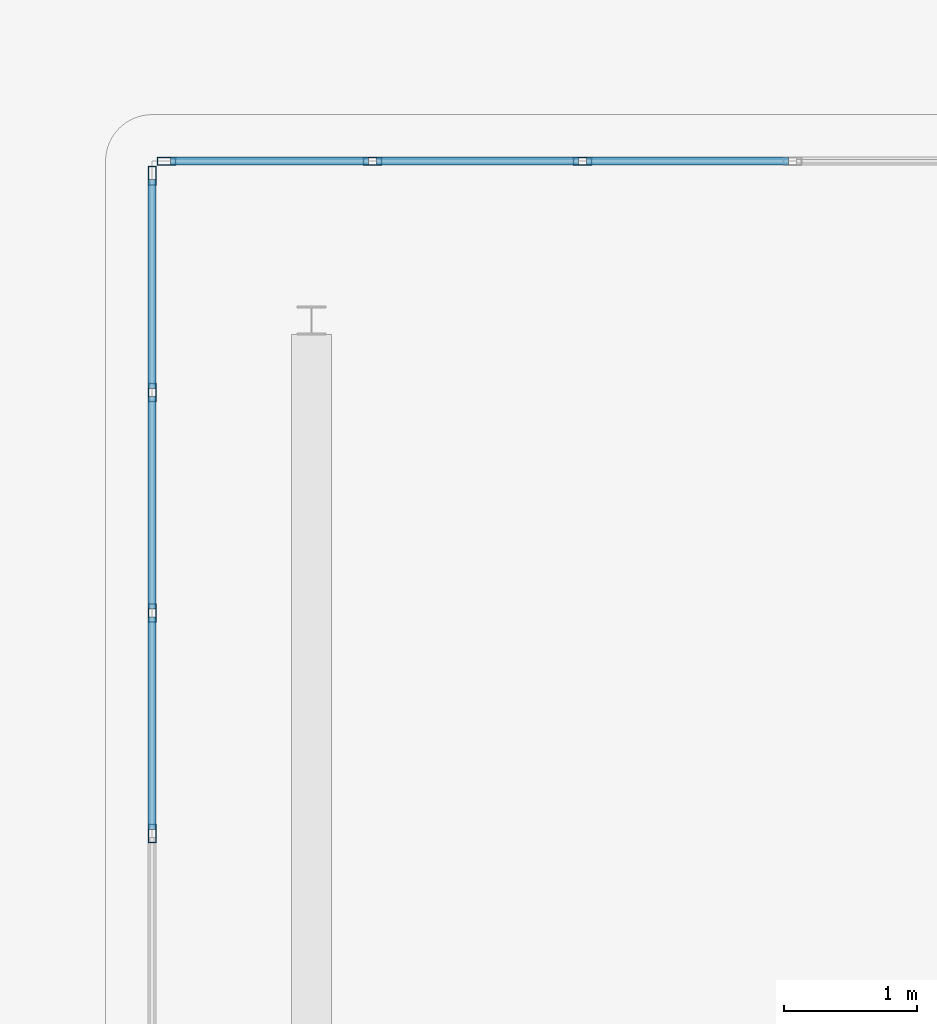
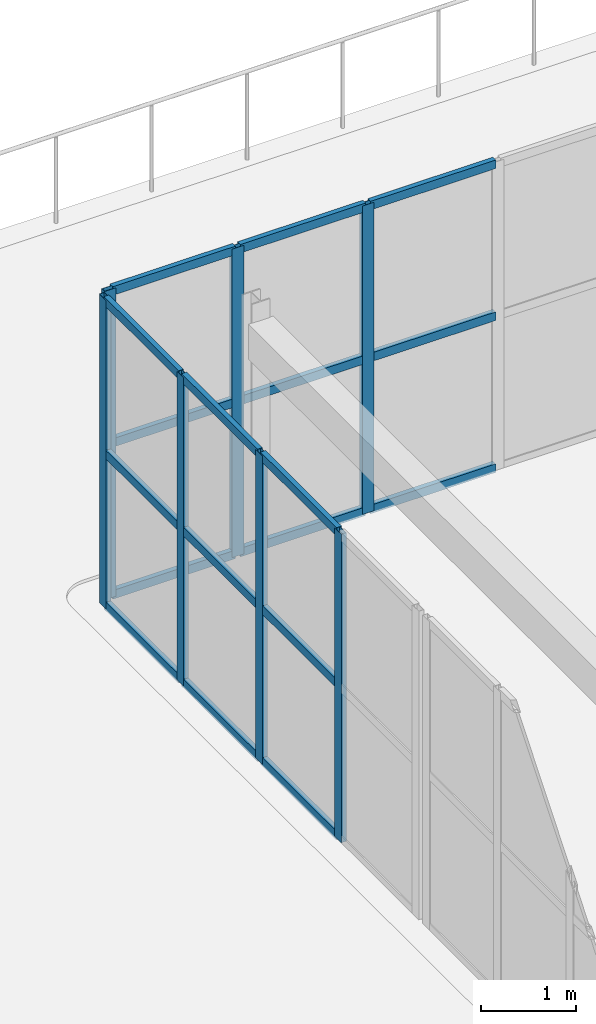
# One storey, part 37 of 90: 25 members, 2 elements without a shape of their own.
"""IFC4 building model written with IfcOpenShell, lengths in metres."""

from ifc_helpers import new_model, si_unit, direction, frame, origin, origin_2d, place, context, subcontext, project, spatial, hollow_rectangle, extrude, material, layer, layer_set, material_profile, profile_set, type_object, element, aggregate, save


model = new_model("IFC4")

# Units and contexts
model_context = context("Model", 3, precision=1e-05, world=origin(), true_north=direction((0.0, 1.0)))
body_context = subcontext(model_context, "Body", "Model", "MODEL_VIEW")
ifc_project = project(units=[si_unit("LENGTHUNIT", "METRE"), si_unit("AREAUNIT", "SQUARE_METRE"), si_unit("VOLUMEUNIT", "CUBIC_METRE"), si_unit("PLANEANGLEUNIT", "RADIAN"), si_unit("MASSUNIT", "GRAM", prefix="KILO")], contexts=[model_context])

# Site, building, storey
site_placement = place(None, origin())
site = spatial("IfcSite", under=ifc_project, at=site_placement, CompositionType="ELEMENT")
building_placement = place(site_placement, origin())
building = spatial("IfcBuilding", under=site, at=building_placement, Name="Trelvath General Hospital", CompositionType="ELEMENT")
storey_placement = place(building_placement, frame((0.0, 0.0, 20.39990234375)))
storey = spatial("IfcBuildingStorey", under=building, at=storey_placement, Name="L05", CompositionType="ELEMENT", Elevation=20.39990234375)

# Curtain wall, members
ifc_material_1 = material(Name="Anodised aluminium and low-E glass", Category="aluminium")
ifc_layer_1 = layer(ifc_material_1, 0.14990234375)
ifc_layer_set_1 = layer_set([ifc_layer_1], Name="Anodised aluminium and low-E glass")
curtain_wall_type_1 = type_object("IfcCurtainWallType", Name="CW CrystalCube 790 396 15", PredefinedType="USERDEFINED", material=ifc_layer_set_1)
curtain_wall_1_placement = place(storey_placement, origin())
curtain_wall_1 = element("IfcCurtainWall", 1, at=curtain_wall_1_placement, inside=storey, type_object=curtain_wall_type_1, Name="Crystal Cube Curtain Wall CUBE-W-T2 N1 L05", ObjectType="Unitised Glazed Curtain Wall", PredefinedType="USERDEFINED")
ifc_material_2 = material(Name="Anodised aluminium", Category="aluminium")
ifc_material_profile_1 = material_profile(ifc_material_2, hollow_rectangle(XDim=0.06005859375, YDim=0.139892578125, WallThickness=0.00390625, at=origin_2d()), Name="RHS60x140x4")
ifc_profile_set_1 = profile_set([ifc_material_profile_1], Name="Anodised aluminium")
member_type_1 = type_object("IfcMemberType", Name="CurtainMullion 60x140", PredefinedType="MULLION", material=ifc_profile_set_1)
member_1_placement = place(storey_placement, frame((59.7099609375, 74.0, 0.0), z_axis=(0.0, 0.0, 1.0), x_axis=(0.0, 1.0, 0.0)))
member_1 = element("IfcMember", 2, at=member_1_placement, type_object=member_type_1, Name="CW-308 mullion 1", PredefinedType="MULLION", context=body_context, shape_type="SweptSolid", body=[
    extrude(hollow_rectangle(XDim=0.06005859375, YDim=0.139892578125, WallThickness=0.00390625, at=origin_2d()), origin(), (0.0, 0.0, 1.0), 3.960205078125),
])
member_2_placement = place(storey_placement, frame((61.260009765625, 74.0, 0.0), z_axis=(0.0, 0.0, 1.0), x_axis=(0.0, 1.0, 0.0)))
member_2 = element("IfcMember", 3, at=member_2_placement, type_object=member_type_1, Name="CW-308 mullion 2", PredefinedType="MULLION", context=body_context, shape_type="SweptSolid", body=[
    extrude(hollow_rectangle(XDim=0.06005859375, YDim=0.139892578125, WallThickness=0.00390625, at=origin_2d()), origin(), (0.0, 0.0, 1.0), 3.960205078125),
])
member_3_placement = place(storey_placement, frame((62.840087890625, 74.0, 0.0), z_axis=(0.0, 0.0, 1.0), x_axis=(0.0, 1.0, 0.0)))
member_3 = element("IfcMember", 4, at=member_3_placement, type_object=member_type_1, Name="CW-308 mullion 3", PredefinedType="MULLION", context=body_context, shape_type="SweptSolid", body=[
    extrude(hollow_rectangle(XDim=0.06005859375, YDim=0.139892578125, WallThickness=0.00390625, at=origin_2d()), origin(), (0.0, 0.0, 1.0), 3.960205078125),
])

ifc_material_3 = material(Name="Anodised aluminium and low-E glass", Category="aluminium")
ifc_layer_2 = layer(ifc_material_3, 0.14990234375)
ifc_layer_set_2 = layer_set([ifc_layer_2], Name="Anodised aluminium and low-E glass")
curtain_wall_type_2 = type_object("IfcCurtainWallType", Name="CW CrystalCube 664 396 15", PredefinedType="USERDEFINED", material=ifc_layer_set_2)
curtain_wall_2_placement = place(storey_placement, origin())
curtain_wall_2 = element("IfcCurtainWall", 5, at=curtain_wall_2_placement, inside=storey, type_object=curtain_wall_type_2, Name="Crystal Cube Curtain Wall CUBE-W-T2 W5 L05", ObjectType="Unitised Glazed Curtain Wall", PredefinedType="USERDEFINED")
member_4_placement = place(storey_placement, frame((59.60009765625, 68.93994140625, 0.0), z_axis=(0.0, 0.0, 1.0), x_axis=(-1.0, 0.0, 0.0)))
member_4 = element("IfcMember", 6, at=member_4_placement, type_object=member_type_1, Name="CW-313 mullion 2", PredefinedType="MULLION", context=body_context, shape_type="SweptSolid", body=[
    extrude(hollow_rectangle(XDim=0.06005859375, YDim=0.139892578125, WallThickness=0.00390625, at=origin_2d()), origin(), (0.0, 0.0, 1.0), 3.960205078125),
])
member_5_placement = place(storey_placement, frame((59.60009765625, 70.60009765625, 0.0), z_axis=(0.0, 0.0, 1.0), x_axis=(-1.0, 0.0, 0.0)))
member_5 = element("IfcMember", 7, at=member_5_placement, type_object=member_type_1, Name="CW-313 mullion 3", PredefinedType="MULLION", context=body_context, shape_type="SweptSolid", body=[
    extrude(hollow_rectangle(XDim=0.06005859375, YDim=0.139892578125, WallThickness=0.00390625, at=origin_2d()), origin(), (0.0, 0.0, 1.0), 3.960205078125),
])
member_6_placement = place(storey_placement, frame((59.60009765625, 72.260009765625, 0.0), z_axis=(0.0, 0.0, 1.0), x_axis=(-1.0, 0.0, 0.0)))
member_6 = element("IfcMember", 8, at=member_6_placement, type_object=member_type_1, Name="CW-313 mullion 4", PredefinedType="MULLION", context=body_context, shape_type="SweptSolid", body=[
    extrude(hollow_rectangle(XDim=0.06005859375, YDim=0.139892578125, WallThickness=0.00390625, at=origin_2d()), origin(), (0.0, 0.0, 1.0), 3.960205078125),
])
member_7_placement = place(storey_placement, frame((59.60009765625, 73.889892578125, 0.0), z_axis=(0.0, 0.0, 1.0), x_axis=(-1.0, 0.0, 0.0)))
member_7 = element("IfcMember", 9, at=member_7_placement, type_object=member_type_1, Name="CW-313 mullion 5", PredefinedType="MULLION", context=body_context, shape_type="SweptSolid", body=[
    extrude(hollow_rectangle(XDim=0.06005859375, YDim=0.139892578125, WallThickness=0.00390625, at=origin_2d()), origin(), (0.0, 0.0, 1.0), 3.960205078125),
])

# Member
ifc_material_4 = material(Name="Anodised aluminium", Category="aluminium")
ifc_material_profile_2 = material_profile(ifc_material_4, hollow_rectangle(XDim=0.06005859375, YDim=0.110107421875, WallThickness=0.00390625, at=origin_2d()), Name="RHS60x110x4")
ifc_profile_set_2 = profile_set([ifc_material_profile_2], Name="Anodised aluminium")
member_type_2 = type_object("IfcMemberType", Name="CurtainTransom 60x110", PredefinedType="USERDEFINED", material=ifc_profile_set_2)
member_8_placement = place(storey_placement, frame((59.739990234375, 74.0, 0.030029296875), z_axis=(1.0, 0.0, 0.0), x_axis=(0.0, 1.0, 0.0)))
member_8 = element("IfcMember", 10, at=member_8_placement, type_object=member_type_2, Name="CW-308 transom 1.1", ObjectType="TRANSOM", PredefinedType="USERDEFINED", context=body_context, shape_type="SweptSolid", body=[
    extrude(hollow_rectangle(XDim=0.06005859375, YDim=0.110107421875, WallThickness=0.00390625, at=origin_2d()), origin(), (0.0, 0.0, 1.0), 1.489990234375),
])

member_9_placement = place(storey_placement, frame((59.739990234375, 74.0, 1.97998046875), z_axis=(1.0, 0.0, 0.0), x_axis=(0.0, 1.0, 0.0)))
member_9 = element("IfcMember", 11, at=member_9_placement, type_object=member_type_2, Name="CW-308 transom 1.2", ObjectType="TRANSOM", PredefinedType="USERDEFINED", context=body_context, shape_type="SweptSolid", body=[
    extrude(hollow_rectangle(XDim=0.06005859375, YDim=0.110107421875, WallThickness=0.00390625, at=origin_2d()), origin(), (0.0, 0.0, 1.0), 1.489990234375),
])

member_10_placement = place(storey_placement, frame((59.739990234375, 74.0, 3.93017578125), z_axis=(1.0, 0.0, 0.0), x_axis=(0.0, 1.0, 0.0)))
member_10 = element("IfcMember", 12, at=member_10_placement, type_object=member_type_2, Name="CW-308 transom 1.3", ObjectType="TRANSOM", PredefinedType="USERDEFINED", context=body_context, shape_type="SweptSolid", body=[
    extrude(hollow_rectangle(XDim=0.06005859375, YDim=0.110107421875, WallThickness=0.00390625, at=origin_2d()), origin(), (0.0, 0.0, 1.0), 1.489990234375),
])

member_11_placement = place(storey_placement, frame((61.2900390625, 74.0, 0.030029296875), z_axis=(1.0, 0.0, 0.0), x_axis=(0.0, 1.0, 0.0)))
member_11 = element("IfcMember", 13, at=member_11_placement, type_object=member_type_2, Name="CW-308 transom 2.1", ObjectType="TRANSOM", PredefinedType="USERDEFINED", context=body_context, shape_type="SweptSolid", body=[
    extrude(hollow_rectangle(XDim=0.06005859375, YDim=0.110107421875, WallThickness=0.00390625, at=origin_2d()), origin(), (0.0, 0.0, 1.0), 1.52001953125),
])

member_12_placement = place(storey_placement, frame((61.2900390625, 74.0, 1.97998046875), z_axis=(1.0, 0.0, 0.0), x_axis=(0.0, 1.0, 0.0)))
member_12 = element("IfcMember", 14, at=member_12_placement, type_object=member_type_2, Name="CW-308 transom 2.2", ObjectType="TRANSOM", PredefinedType="USERDEFINED", context=body_context, shape_type="SweptSolid", body=[
    extrude(hollow_rectangle(XDim=0.06005859375, YDim=0.110107421875, WallThickness=0.00390625, at=origin_2d()), origin(), (0.0, 0.0, 1.0), 1.52001953125),
])

member_13_placement = place(storey_placement, frame((61.2900390625, 74.0, 3.93017578125), z_axis=(1.0, 0.0, 0.0), x_axis=(0.0, 1.0, 0.0)))
member_13 = element("IfcMember", 15, at=member_13_placement, type_object=member_type_2, Name="CW-308 transom 2.3", ObjectType="TRANSOM", PredefinedType="USERDEFINED", context=body_context, shape_type="SweptSolid", body=[
    extrude(hollow_rectangle(XDim=0.06005859375, YDim=0.110107421875, WallThickness=0.00390625, at=origin_2d()), origin(), (0.0, 0.0, 1.0), 1.52001953125),
])

member_14_placement = place(storey_placement, frame((62.8701171875, 74.0, 0.030029296875), z_axis=(1.0, 0.0, 0.0), x_axis=(0.0, 1.0, 0.0)))
member_14 = element("IfcMember", 16, at=member_14_placement, type_object=member_type_2, Name="CW-308 transom 3.1", ObjectType="TRANSOM", PredefinedType="USERDEFINED", context=body_context, shape_type="SweptSolid", body=[
    extrude(hollow_rectangle(XDim=0.06005859375, YDim=0.110107421875, WallThickness=0.00390625, at=origin_2d()), origin(), (0.0, 0.0, 1.0), 1.519775390625),
])

member_15_placement = place(storey_placement, frame((62.8701171875, 74.0, 1.97998046875), z_axis=(1.0, 0.0, 0.0), x_axis=(0.0, 1.0, 0.0)))
member_15 = element("IfcMember", 17, at=member_15_placement, type_object=member_type_2, Name="CW-308 transom 3.2", ObjectType="TRANSOM", PredefinedType="USERDEFINED", context=body_context, shape_type="SweptSolid", body=[
    extrude(hollow_rectangle(XDim=0.06005859375, YDim=0.110107421875, WallThickness=0.00390625, at=origin_2d()), origin(), (0.0, 0.0, 1.0), 1.519775390625),
])

member_16_placement = place(storey_placement, frame((62.8701171875, 74.0, 3.93017578125), z_axis=(1.0, 0.0, 0.0), x_axis=(0.0, 1.0, 0.0)))
member_16 = element("IfcMember", 18, at=member_16_placement, type_object=member_type_2, Name="CW-308 transom 3.3", ObjectType="TRANSOM", PredefinedType="USERDEFINED", context=body_context, shape_type="SweptSolid", body=[
    extrude(hollow_rectangle(XDim=0.06005859375, YDim=0.110107421875, WallThickness=0.00390625, at=origin_2d()), origin(), (0.0, 0.0, 1.0), 1.519775390625),
])

aggregate(curtain_wall_1, [member_1, member_2, member_3, member_8, member_9, member_10, member_11, member_12, member_13, member_14, member_15, member_16])

member_17_placement = place(storey_placement, frame((59.60009765625, 68.969970703125, 0.030029296875), z_axis=(0.0, 1.0, 0.0), x_axis=(-1.0, 0.0, 0.0)))
member_17 = element("IfcMember", 19, at=member_17_placement, type_object=member_type_2, Name="CW-313 transom 2.1", ObjectType="TRANSOM", PredefinedType="USERDEFINED", context=body_context, shape_type="SweptSolid", body=[
    extrude(hollow_rectangle(XDim=0.06005859375, YDim=0.110107421875, WallThickness=0.00390625, at=origin_2d()), origin(), (0.0, 0.0, 1.0), 1.60009765625),
])

member_18_placement = place(storey_placement, frame((59.60009765625, 68.969970703125, 1.97998046875), z_axis=(0.0, 1.0, 0.0), x_axis=(-1.0, 0.0, 0.0)))
member_18 = element("IfcMember", 20, at=member_18_placement, type_object=member_type_2, Name="CW-313 transom 2.2", ObjectType="TRANSOM", PredefinedType="USERDEFINED", context=body_context, shape_type="SweptSolid", body=[
    extrude(hollow_rectangle(XDim=0.06005859375, YDim=0.110107421875, WallThickness=0.00390625, at=origin_2d()), origin(), (0.0, 0.0, 1.0), 1.60009765625),
])

member_19_placement = place(storey_placement, frame((59.60009765625, 68.969970703125, 3.93017578125), z_axis=(0.0, 1.0, 0.0), x_axis=(-1.0, 0.0, 0.0)))
member_19 = element("IfcMember", 21, at=member_19_placement, type_object=member_type_2, Name="CW-313 transom 2.3", ObjectType="TRANSOM", PredefinedType="USERDEFINED", context=body_context, shape_type="SweptSolid", body=[
    extrude(hollow_rectangle(XDim=0.06005859375, YDim=0.110107421875, WallThickness=0.00390625, at=origin_2d()), origin(), (0.0, 0.0, 1.0), 1.60009765625),
])

member_20_placement = place(storey_placement, frame((59.60009765625, 70.6298828125, 0.030029296875), z_axis=(0.0, 1.0, 0.0), x_axis=(-1.0, 0.0, 0.0)))
member_20 = element("IfcMember", 22, at=member_20_placement, type_object=member_type_2, Name="CW-313 transom 3.1", ObjectType="TRANSOM", PredefinedType="USERDEFINED", context=body_context, shape_type="SweptSolid", body=[
    extrude(hollow_rectangle(XDim=0.06005859375, YDim=0.110107421875, WallThickness=0.00390625, at=origin_2d()), origin(), (0.0, 0.0, 1.0), 1.60009765625),
])

member_21_placement = place(storey_placement, frame((59.60009765625, 70.6298828125, 1.97998046875), z_axis=(0.0, 1.0, 0.0), x_axis=(-1.0, 0.0, 0.0)))
member_21 = element("IfcMember", 23, at=member_21_placement, type_object=member_type_2, Name="CW-313 transom 3.2", ObjectType="TRANSOM", PredefinedType="USERDEFINED", context=body_context, shape_type="SweptSolid", body=[
    extrude(hollow_rectangle(XDim=0.06005859375, YDim=0.110107421875, WallThickness=0.00390625, at=origin_2d()), origin(), (0.0, 0.0, 1.0), 1.60009765625),
])

member_22_placement = place(storey_placement, frame((59.60009765625, 70.6298828125, 3.93017578125), z_axis=(0.0, 1.0, 0.0), x_axis=(-1.0, 0.0, 0.0)))
member_22 = element("IfcMember", 24, at=member_22_placement, type_object=member_type_2, Name="CW-313 transom 3.3", ObjectType="TRANSOM", PredefinedType="USERDEFINED", context=body_context, shape_type="SweptSolid", body=[
    extrude(hollow_rectangle(XDim=0.06005859375, YDim=0.110107421875, WallThickness=0.00390625, at=origin_2d()), origin(), (0.0, 0.0, 1.0), 1.60009765625),
])

member_23_placement = place(storey_placement, frame((59.60009765625, 72.2900390625, 0.030029296875), z_axis=(0.0, 1.0, 0.0), x_axis=(-1.0, 0.0, 0.0)))
member_23 = element("IfcMember", 25, at=member_23_placement, type_object=member_type_2, Name="CW-313 transom 4.1", ObjectType="TRANSOM", PredefinedType="USERDEFINED", context=body_context, shape_type="SweptSolid", body=[
    extrude(hollow_rectangle(XDim=0.06005859375, YDim=0.110107421875, WallThickness=0.00390625, at=origin_2d()), origin(), (0.0, 0.0, 1.0), 1.570068359375),
])

member_24_placement = place(storey_placement, frame((59.60009765625, 72.2900390625, 1.97998046875), z_axis=(0.0, 1.0, 0.0), x_axis=(-1.0, 0.0, 0.0)))
member_24 = element("IfcMember", 26, at=member_24_placement, type_object=member_type_2, Name="CW-313 transom 4.2", ObjectType="TRANSOM", PredefinedType="USERDEFINED", context=body_context, shape_type="SweptSolid", body=[
    extrude(hollow_rectangle(XDim=0.06005859375, YDim=0.110107421875, WallThickness=0.00390625, at=origin_2d()), origin(), (0.0, 0.0, 1.0), 1.570068359375),
])

member_25_placement = place(storey_placement, frame((59.60009765625, 72.2900390625, 3.93017578125), z_axis=(0.0, 1.0, 0.0), x_axis=(-1.0, 0.0, 0.0)))
member_25 = element("IfcMember", 27, at=member_25_placement, type_object=member_type_2, Name="CW-313 transom 4.3", ObjectType="TRANSOM", PredefinedType="USERDEFINED", context=body_context, shape_type="SweptSolid", body=[
    extrude(hollow_rectangle(XDim=0.06005859375, YDim=0.110107421875, WallThickness=0.00390625, at=origin_2d()), origin(), (0.0, 0.0, 1.0), 1.570068359375),
])

aggregate(curtain_wall_2, [member_4, member_5, member_6, member_7, member_17, member_18, member_19, member_20, member_21, member_22, member_23, member_24, member_25])

save(model, "model.ifc")
